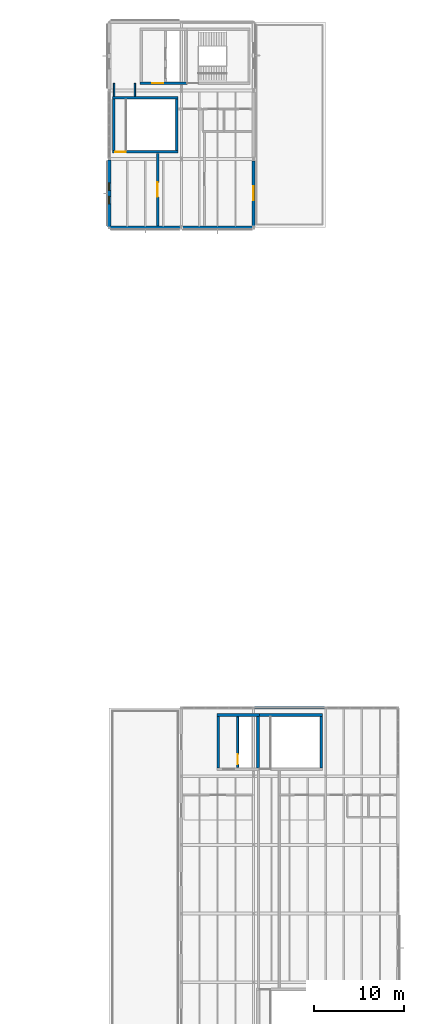
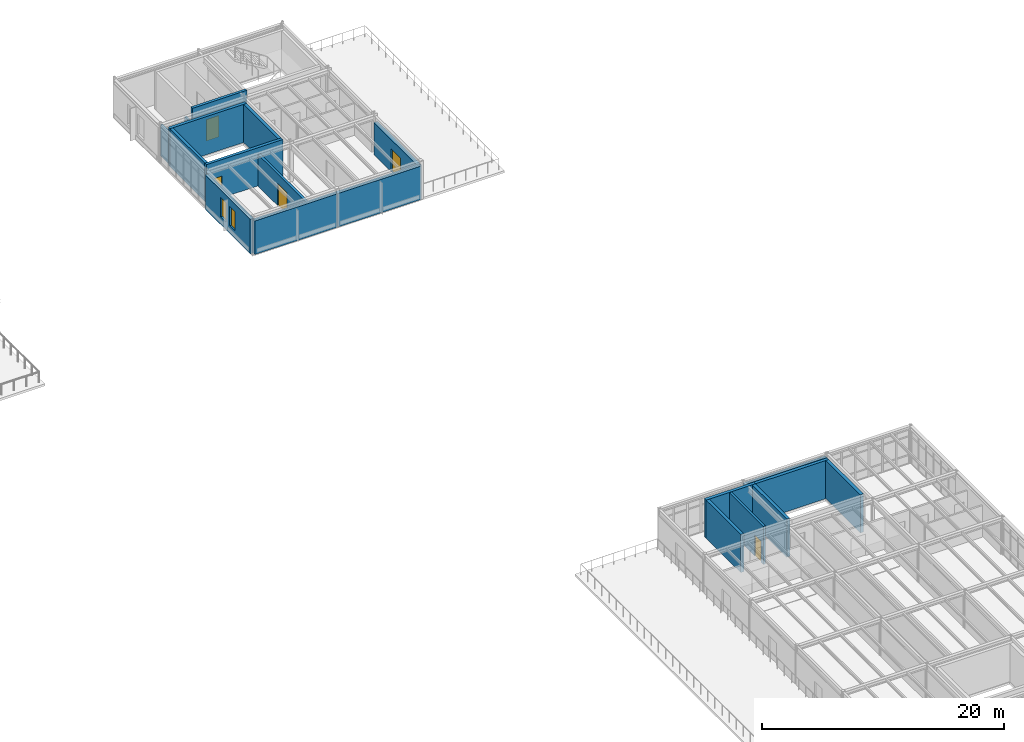
# One storey, part 54 of 65: 19 walls, 5 doors, 2 windows, 7 openings.
"""IFC4 building model written with IfcOpenShell, lengths in metres."""

from ifc_helpers import new_model, si_unit, direction, frame, frame_2d, origin, place, context, subcontext, project, spatial, rectangle, extrude, material, layer, layer_set, type_object, element, fill, save


model = new_model("IFC4")

# Units and contexts
model_context = context("Model", 3, precision=1e-05, world=origin(), true_north=direction((0.0, 1.0)))
body_context = subcontext(model_context, "Body", "Model", "MODEL_VIEW")
ifc_project = project(units=[si_unit("LENGTHUNIT", "METRE"), si_unit("AREAUNIT", "SQUARE_METRE"), si_unit("VOLUMEUNIT", "CUBIC_METRE"), si_unit("PLANEANGLEUNIT", "RADIAN"), si_unit("MASSUNIT", "GRAM", prefix="KILO")], contexts=[model_context])

# Site, building, storey
site_placement = place(None, origin())
site = spatial("IfcSite", under=ifc_project, at=site_placement, CompositionType="ELEMENT")
building_placement = place(site_placement, origin())
building = spatial("IfcBuilding", under=site, at=building_placement, Name="Montecoro Central Library", CompositionType="ELEMENT")
storey_placement = place(building_placement, frame((0.0, 0.0, 17.340087890625)))
storey = spatial("IfcBuildingStorey", under=building, at=storey_placement, Name="L04", CompositionType="ELEMENT", Elevation=17.340087890625)

# Walls
ifc_material_1 = material(Name="Roman travertine stone clad concrete C35/45", Category="masonry")
ifc_layer_1 = layer(ifc_material_1, 0.364990234375)
ifc_layer_set_1 = layer_set([ifc_layer_1], Name="Roman travertine stone clad concrete C35/45")
wall_type_1 = type_object("IfcWallType", Name="EW-STK-365", PredefinedType="SOLIDWALL", material=ifc_layer_set_1)
wall_1_placement = place(storey_placement, frame((141.093017578125, 96.199951171875, 0.0), z_axis=(0.0, 0.0, 1.0), x_axis=(1.0, 0.0, 0.0)))
element("IfcWall", 1, at=wall_1_placement, inside=storey, type_object=wall_type_1, Name="V5-L04-EW-S0", PredefinedType="SOLIDWALL", context=body_context, shape_type="SweptSolid", body=[
    extrude(rectangle(XDim=7.90087890625, YDim=0.364990234375, at=frame_2d((3.950439453125, 0.0))), origin(), (0.0, 0.0, 1.0), 3.3798828125),
])
wall_2_placement = place(storey_placement, frame((149.006103515625, 96.199951171875, 0.0), z_axis=(0.0, 0.0, 1.0), x_axis=(1.0, 0.0, 0.0)))
element("IfcWall", 2, at=wall_2_placement, inside=storey, type_object=wall_type_1, Name="V5-L04-EW-S1", PredefinedType="SOLIDWALL", context=body_context, shape_type="SweptSolid", body=[
    extrude(rectangle(XDim=7.98779296875, YDim=0.364990234375, at=frame_2d((3.993896484375, 0.0))), origin(), (0.0, 0.0, 1.0), 3.3798828125),
])

# Wall, opening, door
wall_3_placement = place(storey_placement, frame((157.0, 96.39794921875, 0.0), z_axis=(0.0, 0.0, 1.0), x_axis=(0.0, 1.0, 0.0)))
wall_3 = element("IfcWall", 3, at=wall_3_placement, inside=storey, type_object=wall_type_1, Name="V5-L04-EW-E0", PredefinedType="SOLIDWALL", context=body_context, shape_type="SweptSolid", body=[
    extrude(rectangle(XDim=7.2041015625, YDim=0.364990234375, at=frame_2d((3.60205078125, 0.0))), origin(), (0.0, 0.0, 1.0), 3.219970703125),
])
opening_1_placement = place(wall_3_placement, frame((2.826904296875, 0.0, 0.0)))
opening_1 = element("IfcOpeningElement", 4, at=opening_1_placement, cuts=wall_3, Name="Opening ED-08", PredefinedType="OPENING", context=body_context, shape_type="SweptSolid", body=[
    extrude(rectangle(XDim=1.550048828125, YDim=2.280029296875, at=frame_2d((0.77490234375, 1.14013671875))), frame((0.0, 0.1923828125, 0.0), z_axis=(0.0, -1.0, 0.0), x_axis=(1.0, 0.0, 0.0)), (0.0, 0.0, 1.0), 0.385009765625),
])
ifc_material_2 = material(Name="Thermally broken architectural bronze and safety glass", Category="glass")
door_type_1 = type_object("IfcDoorType", Name="ED-TER-155", OperationType="NOTDEFINED", PredefinedType="DOOR", material=ifc_material_2)
door_1_placement = place(opening_1_placement, origin())
door_1 = element("IfcDoor", 5, at=door_1_placement, inside=storey, type_object=door_type_1, Name="V5-L04-TD-E0", OperationType="SINGLE_SWING_LEFT", OverallHeight=2.280029296875, OverallWidth=1.550048828125, PredefinedType="DOOR", context=body_context, shape_type="SweptSolid", body=[
    extrude(rectangle(XDim=1.550048828125, YDim=2.280029296875, at=frame_2d((0.77490234375, 1.14013671875))), frame((0.0, 0.02490234375, 0.0), z_axis=(0.0, -1.0, 0.0), x_axis=(1.0, 0.0, 0.0)), (0.0, 0.0, 1.0), 0.050048828125),
])
fill(opening_1, door_1)

# Wall, openings, windows
wall_4_placement = place(storey_placement, frame((141.0, 103.70703125, 0.0), z_axis=(0.0, 0.0, 1.0), x_axis=(0.0, -1.0, 0.0)))
wall_4 = element("IfcWall", 6, at=wall_4_placement, inside=storey, type_object=wall_type_1, Name="V5-L04-EW-W0", PredefinedType="SOLIDWALL", context=body_context, shape_type="SweptSolid", body=[
    extrude(rectangle(XDim=7.4140625, YDim=0.364990234375, at=frame_2d((3.70703125, 0.0))), origin(), (0.0, 0.0, 1.0), 3.47998046875),
])
opening_2_placement = place(wall_4_placement, frame((2.531982421875, 0.0, 0.800048828125)))
opening_2 = element("IfcOpeningElement", 7, at=opening_2_placement, cuts=wall_4, Name="Opening WN-01", PredefinedType="OPENING", context=body_context, shape_type="SweptSolid", body=[
    extrude(rectangle(XDim=0.85009765625, YDim=1.949951171875, at=frame_2d((0.425048828125, 0.97509765625))), frame((0.0, 0.1923828125, 0.0), z_axis=(0.0, -1.0, 0.0), x_axis=(1.0, 0.0, 0.0)), (0.0, 0.0, 1.0), 0.385009765625),
])
opening_3_placement = place(wall_4_placement, frame((4.031982421875, 0.0, 0.800048828125)))
opening_3 = element("IfcOpeningElement", 8, at=opening_3_placement, cuts=wall_4, Name="Opening WN-01", PredefinedType="OPENING", context=body_context, shape_type="SweptSolid", body=[
    extrude(rectangle(XDim=0.85009765625, YDim=1.949951171875, at=frame_2d((0.425048828125, 0.97509765625))), frame((0.0, 0.1923828125, 0.0), z_axis=(0.0, -1.0, 0.0), x_axis=(1.0, 0.0, 0.0)), (0.0, 0.0, 1.0), 0.385009765625),
])
ifc_material_3 = material(Name="UV-filtered triple glazing", Category="glass")
window_type = type_object("IfcWindowType", Name="WN-STK-085", PartitioningType="SINGLE_PANEL", PredefinedType="WINDOW", material=ifc_material_3)
window_1_placement = place(opening_2_placement, origin())
window_1 = element("IfcWindow", 9, at=window_1_placement, inside=storey, type_object=window_type, Name="V5-L04-WN-W0-1", OverallHeight=1.949951171875, OverallWidth=0.85009765625, PartitioningType="SINGLE_PANEL", PredefinedType="WINDOW", context=body_context, shape_type="SweptSolid", body=[
    extrude(rectangle(XDim=0.85009765625, YDim=1.949951171875, at=frame_2d((0.425048828125, 0.97509765625))), frame((0.0, 0.030029296875, 0.0), z_axis=(0.0, -1.0, 0.0), x_axis=(1.0, 0.0, 0.0)), (0.0, 0.0, 1.0), 0.06005859375),
])
fill(opening_2, window_1)
window_2_placement = place(opening_3_placement, origin())
window_2 = element("IfcWindow", 10, at=window_2_placement, inside=storey, type_object=window_type, Name="V5-L04-WN-W0-2", OverallHeight=1.949951171875, OverallWidth=0.85009765625, PartitioningType="SINGLE_PANEL", PredefinedType="WINDOW", context=body_context, shape_type="SweptSolid", body=[
    extrude(rectangle(XDim=0.85009765625, YDim=1.949951171875, at=frame_2d((0.425048828125, 0.97509765625))), frame((0.0, 0.030029296875, 0.0), z_axis=(0.0, -1.0, 0.0), x_axis=(1.0, 0.0, 0.0)), (0.0, 0.0, 1.0), 0.06005859375),
])
fill(opening_3, window_2)

# Walls
ifc_layer_2 = layer(ifc_material_1, 0.31005859375)
ifc_layer_set_2 = layer_set([ifc_layer_2], Name="Roman travertine stone clad concrete C35/45")
wall_type_2 = type_object("IfcWallType", Name="EW-TRV-310", PredefinedType="SOLIDWALL", material=ifc_layer_set_2)
wall_5_placement = place(storey_placement, frame((164.906982421875, 43.0, 0.0), z_axis=(0.0, 0.0, 1.0), x_axis=(-1.0, 0.0, 0.0)))
element("IfcWall", 11, at=wall_5_placement, inside=storey, type_object=wall_type_2, Name="V6-L04-EW-N1", PredefinedType="SOLIDWALL", context=body_context, shape_type="SweptSolid", body=[
    extrude(rectangle(XDim=7.81396484375, YDim=0.31005859375, at=frame_2d((3.906982421875, 0.0))), origin(), (0.0, 0.0, 1.0), 3.47998046875),
])
ifc_material_4 = material(Name="Gypsum fire-rated partition")
ifc_layer_3 = layer(ifc_material_4, 0.179931640625)
ifc_layer_set_3 = layer_set([ifc_layer_3], Name="Gypsum fire-rated partition")
wall_type_3 = type_object("IfcWallType", Name="IW-COR-180", PredefinedType="PARTITIONING", material=ifc_layer_set_3)
for number, where, z_axis, x_axis, name in (
    (12, (141.550048828125, 110.760009765625, 0.0), (0.0, 0.0, 1.0), (0.0, 1.0, 0.0), "SPRW-V5-L04-1W1"),
    (13, (143.85009765625, 110.760009765625, 0.0), (0.0, 0.0, 1.0), (0.0, 1.0, 0.0), "SPRW-V5-L04-1E1"),
):
    element("IfcWall", number, at=place(storey_placement, frame(where, z_axis=z_axis, x_axis=x_axis)), inside=storey, type_object=wall_type_3, Name=name, PredefinedType="PARTITIONING", context=body_context, shape_type="SweptSolid", body=[
        extrude(rectangle(XDim=1.43994140625, YDim=0.179931640625, at=frame_2d((0.719970703125, 0.0))), origin(), (0.0, 0.0, 1.0), 3.179931640625),
    ])

# Wall, opening, door
ifc_material_5 = material(Name="Concrete C32/40", Category="concrete")
ifc_layer_4 = layer(ifc_material_5, 0.219970703125)
ifc_layer_set_4 = layer_set([ifc_layer_4], Name="Concrete C32/40")
wall_type_4 = type_object("IfcWallType", Name="IW-FFL-220", PredefinedType="SOLIDWALL", material=ifc_layer_set_4)
wall_6_placement = place(storey_placement, frame((155.25, 36.39990234375, 0.0), z_axis=(0.0, 0.0, 1.0), x_axis=(0.0, 1.0, 0.0)))
wall_6 = element("IfcWall", 14, at=wall_6_placement, inside=storey, type_object=wall_type_4, Name="C7-L04-WLSH", PredefinedType="SOLIDWALL", context=body_context, shape_type="SweptSolid", body=[
    extrude(rectangle(XDim=5.60009765625, YDim=0.219970703125, at=frame_2d((2.800048828125, 0.0))), origin(), (0.0, 0.0, 1.0), 3.844970703125),
])
opening_4_placement = place(wall_6_placement, frame((0.35009765625, 0.0, 0.0)))
opening_4 = element("IfcOpeningElement", 15, at=opening_4_placement, cuts=wall_6, Name="Opening LD-01", PredefinedType="OPENING", context=body_context, shape_type="SweptSolid", body=[
    extrude(rectangle(XDim=1.10009765625, YDim=2.14990234375, at=frame_2d((0.550048828125, 1.074951171875))), frame((0.0, 0.119873046875, 0.0), z_axis=(0.0, -1.0, 0.0), x_axis=(1.0, 0.0, 0.0)), (0.0, 0.0, 1.0), 0.239990234375),
])
ifc_material_6 = material(Name="Solid oak and fire-rated steel door", Category="steel")
door_type_2 = type_object("IfcDoorType", Name="LD-LIFT-110", OperationType="NOTDEFINED", PredefinedType="DOOR", material=ifc_material_6)
door_2_placement = place(opening_4_placement, origin())
door_2 = element("IfcDoor", 16, at=door_2_placement, inside=storey, type_object=door_type_2, Name="C7-L04-LD-PL-06", OperationType="SLIDING_TO_LEFT", OverallHeight=2.14990234375, OverallWidth=1.10009765625, PredefinedType="DOOR", context=body_context, shape_type="SweptSolid", body=[
    extrude(rectangle(XDim=1.10009765625, YDim=2.14990234375, at=frame_2d((0.550048828125, 1.074951171875))), frame((0.0, 0.02490234375, 0.0), z_axis=(0.0, -1.0, 0.0), x_axis=(1.0, 0.0, 0.0)), (0.0, 0.0, 1.0), 0.050048828125),
])
fill(opening_4, door_2)

ifc_material_7 = material(Name="Concrete C35/45", Category="concrete")
ifc_layer_5 = layer(ifc_material_7, 0.260009765625)
ifc_layer_set_5 = layer_set([ifc_layer_5], Name="Concrete C35/45")
wall_type_5 = type_object("IfcWallType", Name="IW-SHR-260", PredefinedType="SHEAR", material=ifc_layer_set_5)
wall_7_placement = place(storey_placement, frame((144.419921875, 112.199951171875, 0.0), z_axis=(0.0, 0.0, 1.0), x_axis=(1.0, 0.0, 0.0)))
wall_7 = element("IfcWall", 17, at=wall_7_placement, inside=storey, type_object=wall_type_5, Name="C6-L04-LWS", PredefinedType="SHEAR", context=body_context, shape_type="SweptSolid", body=[
    extrude(rectangle(XDim=5.2099609375, YDim=0.260009765625, at=frame_2d((2.60498046875, 0.0))), origin(), (0.0, 0.0, 1.0), 3.844970703125),
])
opening_5_placement = place(wall_7_placement, frame((1.3798828125, 0.0, 0.0)))
opening_5 = element("IfcOpeningElement", 18, at=opening_5_placement, cuts=wall_7, Name="Opening ID-03", PredefinedType="OPENING", context=body_context, shape_type="SweptSolid", body=[
    extrude(rectangle(XDim=1.199951171875, YDim=2.159912109375, at=frame_2d((0.60009765625, 1.080078125))), frame((0.0, 0.139892578125, 0.0), z_axis=(0.0, -1.0, 0.0), x_axis=(1.0, 0.0, 0.0)), (0.0, 0.0, 1.0), 0.280029296875),
])
door_type_3 = type_object("IfcDoorType", Name="ID-FFL-120", OperationType="NOTDEFINED", PredefinedType="DOOR", material=ifc_material_6)
door_3_placement = place(opening_5_placement, origin())
door_3 = element("IfcDoor", 19, at=door_3_placement, inside=storey, type_object=door_type_3, Name="C6-L04-DLOB", OperationType="SINGLE_SWING_LEFT", OverallHeight=2.159912109375, OverallWidth=1.199951171875, PredefinedType="DOOR", context=body_context, shape_type="SweptSolid", body=[
    extrude(rectangle(XDim=1.199951171875, YDim=2.159912109375, at=frame_2d((0.60009765625, 1.080078125))), frame((0.0, 0.02490234375, 0.0), z_axis=(0.0, -1.0, 0.0), x_axis=(1.0, 0.0, 0.0)), (0.0, 0.0, 1.0), 0.050048828125),
])
fill(opening_5, door_3)

ifc_layer_6 = layer(ifc_material_7, 0.280029296875)
ifc_layer_set_6 = layer_set([ifc_layer_6], Name="Concrete C35/45")
wall_type_6 = type_object("IfcWallType", Name="IW-SHR-280", PredefinedType="SHEAR", material=ifc_layer_set_6)
wall_8_placement = place(storey_placement, frame((141.360107421875, 104.60009765625, 0.0), z_axis=(0.0, 0.0, 1.0), x_axis=(1.0, 0.0, 0.0)))
wall_8 = element("IfcWall", 20, at=wall_8_placement, inside=storey, type_object=wall_type_6, Name="C8-L04-WS", PredefinedType="SHEAR", context=body_context, shape_type="SweptSolid", body=[
    extrude(rectangle(XDim=7.27978515625, YDim=0.280029296875, at=frame_2d((3.639892578125, 0.0))), origin(), (0.0, 0.0, 1.0), 3.844970703125),
])
opening_6_placement = place(wall_8_placement, frame((0.320068359375, 0.0, 0.0)))
opening_6 = element("IfcOpeningElement", 21, at=opening_6_placement, cuts=wall_8, Name="Opening ID-02", PredefinedType="OPENING", context=body_context, shape_type="SweptSolid", body=[
    extrude(rectangle(XDim=1.179931640625, YDim=2.179931640625, at=frame_2d((0.58984375, 1.08984375))), frame((0.0, 0.14990234375, 0.0), z_axis=(0.0, -1.0, 0.0), x_axis=(1.0, 0.0, 0.0)), (0.0, 0.0, 1.0), 0.300048828125),
])
door_type_4 = type_object("IfcDoorType", Name="ID-STR-135", OperationType="NOTDEFINED", PredefinedType="DOOR", material=ifc_material_6)
door_4_placement = place(opening_6_placement, origin())
door_4 = element("IfcDoor", 22, at=door_4_placement, inside=storey, type_object=door_type_4, Name="C8-L04-DSTR", OperationType="SINGLE_SWING_RIGHT", OverallHeight=2.179931640625, OverallWidth=1.179931640625, PredefinedType="DOOR", context=body_context, shape_type="SweptSolid", body=[
    extrude(rectangle(XDim=1.179931640625, YDim=2.179931640625, at=frame_2d((0.58984375, 1.08984375))), frame((0.0, 0.02490234375, 0.0), z_axis=(0.0, -1.0, 0.0), x_axis=(1.0, 0.0, 0.0)), (0.0, 0.0, 1.0), 0.050048828125),
])
fill(opening_6, door_4)

# Walls
wall_9_placement = place(storey_placement, frame((141.360107421875, 110.60009765625, 0.0), z_axis=(0.0, 0.0, 1.0), x_axis=(1.0, 0.0, 0.0)))
element("IfcWall", 23, at=wall_9_placement, inside=storey, type_object=wall_type_6, Name="C8-L04-WN", PredefinedType="SHEAR", context=body_context, shape_type="SweptSolid", body=[
    extrude(rectangle(XDim=7.27978515625, YDim=0.280029296875, at=frame_2d((3.639892578125, 0.0))), origin(), (0.0, 0.0, 1.0), 3.844970703125),
])
for number, where, z_axis, x_axis, name in (
    (24, (141.5, 104.739990234375, 0.0), (0.0, 0.0, 1.0), (0.0, 1.0, 0.0), "C8-L04-WW"),
    (25, (148.5, 104.739990234375, 0.0), (0.0, 0.0, 1.0), (0.0, 1.0, 0.0), "C8-L04-WE"),
):
    element("IfcWall", number, at=place(storey_placement, frame(where, z_axis=z_axis, x_axis=x_axis)), inside=storey, type_object=wall_type_6, Name=name, PredefinedType="SHEAR", context=body_context, shape_type="SweptSolid", body=[
        extrude(rectangle(XDim=5.719970703125, YDim=0.280029296875, at=frame_2d((2.85986328125, 0.0))), origin(), (0.0, 0.0, 1.0), 3.844970703125),
    ])
ifc_layer_7 = layer(ifc_material_7, 0.300048828125)
ifc_layer_set_7 = layer_set([ifc_layer_7], Name="Concrete C35/45")
wall_type_7 = type_object("IfcWallType", Name="IW-SHR-300", PredefinedType="SHEAR", material=ifc_layer_set_7)
wall_10_placement = place(storey_placement, frame((157.64990234375, 42.199951171875, 0.0), z_axis=(0.0, 0.0, 1.0), x_axis=(-1.0, 0.0, 0.0)))
element("IfcWall", 26, at=wall_10_placement, inside=storey, type_object=wall_type_7, Name="C7-L04-LWN", PredefinedType="SHEAR", context=body_context, shape_type="SweptSolid", body=[
    extrude(rectangle(XDim=4.699951171875, YDim=0.300048828125, at=frame_2d((2.35009765625, 0.0))), origin(), (0.0, 0.0, 1.0), 3.844970703125),
])
wall_11_placement = place(storey_placement, frame((153.10009765625, 42.050048828125, 0.0), z_axis=(0.0, 0.0, 1.0), x_axis=(0.0, -1.0, 0.0)))
element("IfcWall", 27, at=wall_11_placement, inside=storey, type_object=wall_type_7, Name="C7-L04-LWW", PredefinedType="SHEAR", context=body_context, shape_type="SweptSolid", body=[
    extrude(rectangle(XDim=5.699951171875, YDim=0.300048828125, at=frame_2d((2.85009765625, 0.0))), origin(), (0.0, 0.0, 1.0), 3.844970703125),
])
wall_12_placement = place(storey_placement, frame((157.35009765625, 42.199951171875, 0.0), z_axis=(0.0, 0.0, 1.0), x_axis=(1.0, 0.0, 0.0)))
element("IfcWall", 28, at=wall_12_placement, inside=storey, type_object=wall_type_7, Name="C7-L04-WN", PredefinedType="SHEAR", context=body_context, shape_type="SweptSolid", body=[
    extrude(rectangle(XDim=7.2998046875, YDim=0.300048828125, at=frame_2d((3.64990234375, 0.0))), origin(), (0.0, 0.0, 1.0), 3.844970703125),
])
for number, where, z_axis, x_axis, name in (
    (29, (157.5, 36.35009765625, 0.0), (0.0, 0.0, 1.0), (0.0, 1.0, 0.0), "C7-L04-WW"),
    (30, (164.5, 36.35009765625, 0.0), (0.0, 0.0, 1.0), (0.0, 1.0, 0.0), "C7-L04-WE"),
):
    element("IfcWall", number, at=place(storey_placement, frame(where, z_axis=z_axis, x_axis=x_axis)), inside=storey, type_object=wall_type_7, Name=name, PredefinedType="SHEAR", context=body_context, shape_type="SweptSolid", body=[
        extrude(rectangle(XDim=5.699951171875, YDim=0.300048828125, at=frame_2d((2.85009765625, 0.0))), origin(), (0.0, 0.0, 1.0), 3.844970703125),
    ])

# Wall, opening, door
ifc_layer_8 = layer(ifc_material_5, 0.239990234375)
ifc_layer_set_8 = layer_set([ifc_layer_8], Name="Concrete C32/40")
wall_type_8 = type_object("IfcWallType", Name="IW-VLT-240", PredefinedType="SOLIDWALL", material=ifc_layer_set_8)
wall_13_placement = place(storey_placement, frame((146.3798828125, 96.39990234375, 0.0), z_axis=(0.0, 0.0, 1.0), x_axis=(0.0, 1.0, 0.0)))
wall_13 = element("IfcWall", 31, at=wall_13_placement, inside=storey, type_object=wall_type_8, Name="Archival Vault Enclosure Wall", PredefinedType="SOLIDWALL", context=body_context, shape_type="SweptSolid", body=[
    extrude(rectangle(XDim=8.0400390625, YDim=0.239990234375, at=frame_2d((4.02001953125, 0.0))), origin(), (0.0, 0.0, 1.0), 3.179931640625),
])
opening_7_placement = place(wall_13_placement, frame((3.219970703125, 0.0, 0.0)))
opening_7 = element("IfcOpeningElement", 32, at=opening_7_placement, cuts=wall_13, Name="Opening ID-06", PredefinedType="OPENING", context=body_context, shape_type="SweptSolid", body=[
    extrude(rectangle(XDim=1.60009765625, YDim=2.25, at=frame_2d((0.800048828125, 1.125))), frame((0.0, 0.1298828125, 0.0), z_axis=(0.0, -1.0, 0.0), x_axis=(1.0, 0.0, 0.0)), (0.0, 0.0, 1.0), 0.260009765625),
])
door_type_5 = type_object("IfcDoorType", Name="ID-COR-160", OperationType="NOTDEFINED", PredefinedType="DOOR", material=ifc_material_6)
door_5_placement = place(opening_7_placement, origin())
door_5 = element("IfcDoor", 33, at=door_5_placement, inside=storey, type_object=door_type_5, Name="DR-SP-V5-L04-R1P1", OperationType="DOUBLE_DOOR_SINGLE_SWING", OverallHeight=2.25, OverallWidth=1.60009765625, PredefinedType="DOOR", context=body_context, shape_type="SweptSolid", body=[
    extrude(rectangle(XDim=1.60009765625, YDim=2.25, at=frame_2d((0.800048828125, 1.125))), frame((0.0, 0.02490234375, 0.0), z_axis=(0.0, -1.0, 0.0), x_axis=(1.0, 0.0, 0.0)), (0.0, 0.0, 1.0), 0.050048828125),
])
fill(opening_7, door_5)

save(model, "model.ifc")
